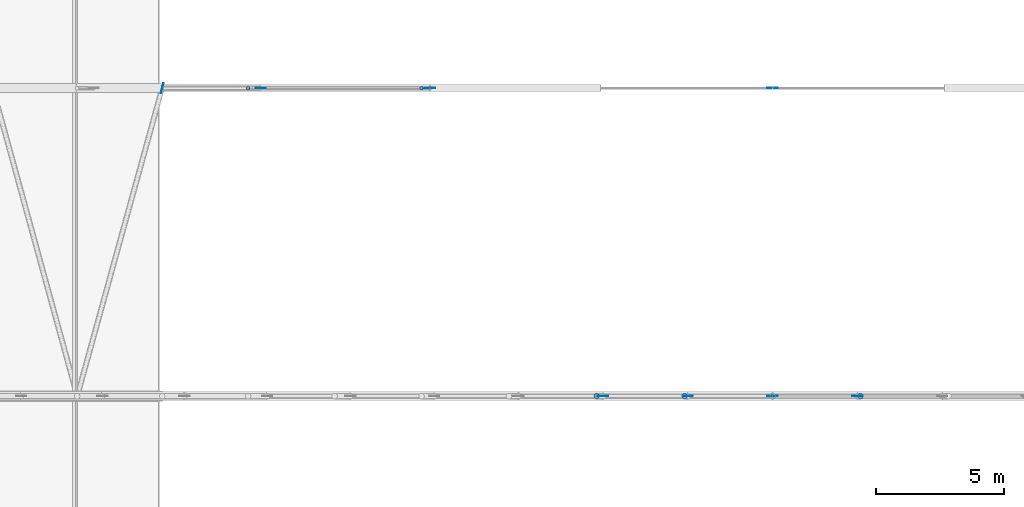
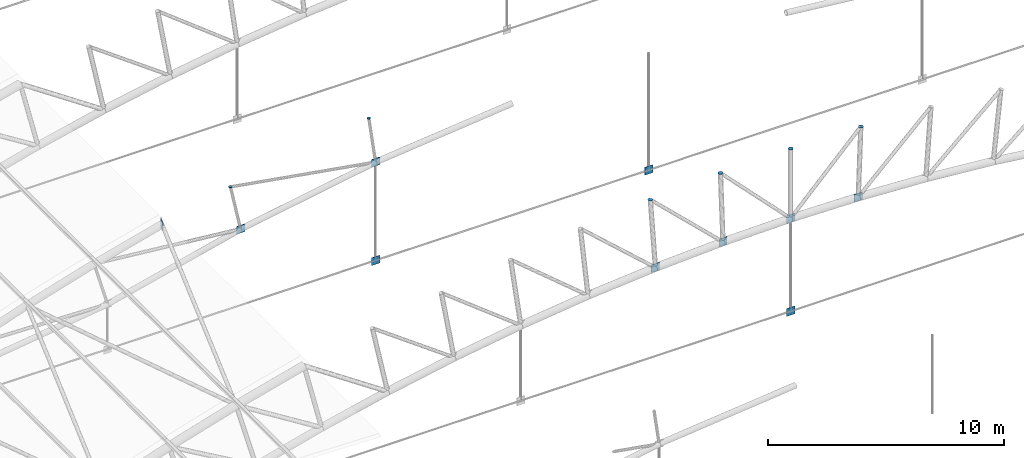
# One storey, part 295 of 321: 16 discrete accessories.
"""IFC4 building model written with IfcOpenShell, lengths in metres."""

from ifc_helpers import new_model, si_unit, direction, frame, origin, origin_2d, place, context, subcontext, project, spatial, rectangle, circle, extrude, material, material_profile, profile_set, type_object, element, save


model = new_model("IFC4")

# Units and contexts
model_context = context("Model", 3, precision=1e-05, world=origin(), true_north=direction((0.0, 1.0)))
body_context = subcontext(model_context, "Body", "Model", "MODEL_VIEW")
ifc_project = project(units=[si_unit("LENGTHUNIT", "METRE"), si_unit("AREAUNIT", "SQUARE_METRE"), si_unit("VOLUMEUNIT", "CUBIC_METRE"), si_unit("PLANEANGLEUNIT", "RADIAN"), si_unit("MASSUNIT", "GRAM", prefix="KILO")], contexts=[model_context])

# Site, building, storey
site_placement = place(None, origin())
site = spatial("IfcSite", under=ifc_project, at=site_placement, CompositionType="ELEMENT")
building_placement = place(site_placement, origin())
building = spatial("IfcBuilding", under=site, at=building_placement, Name="Ravi Spectrum Wholesale Market", CompositionType="ELEMENT")
storey_placement = place(building_placement, frame((0.0, 0.0, 10.800048828125)))
storey = spatial("IfcBuildingStorey", under=building, at=storey_placement, Name="L02", CompositionType="ELEMENT", Elevation=10.800048828125)

# Discrete accessories
ifc_material_1 = material(Name="Steel S355", Category="steel")
ifc_material_profile_1 = material_profile(ifc_material_1, circle(Radius=0.06982421875, at=origin_2d()))
ifc_profile_set_1 = profile_set([ifc_material_profile_1], Name="Steel S355")
discrete_accessory_type_1 = type_object("IfcDiscreteAccessoryType", Name="End plate CHS 139.7x5", PredefinedType="BRACKET", material=ifc_profile_set_1)
for number, where, z_axis, x_axis, name in (
    (1, (49.55859375, 162.0, 6.30224609375), (-0.203954254112, 0.0, 0.978980419738), (0.0, -1.0, 0.0), "End plate"),
    (2, (56.318115234375, 162.0, 7.479736328125), (-0.141421356237, 0.0, 0.989949493661), (0.0, -1.0, 0.0), "End plate"),
):
    element("IfcDiscreteAccessory", number, at=place(storey_placement, frame(where, z_axis=z_axis, x_axis=x_axis)), inside=storey, type_object=discrete_accessory_type_1, Name=name, PredefinedType="BRACKET", context=body_context, shape_type="SweptSolid", body=[
        extrude(circle(Radius=0.06982421875, at=origin_2d()), origin(), (0.0, 0.0, 1.0), 0.011962890625),
    ])
ifc_material_2 = material(Name="Steel S355", Category="steel")
ifc_material_profile_2 = material_profile(ifc_material_2, circle(Radius=0.109619140625, at=origin_2d()))
ifc_profile_set_2 = profile_set([ifc_material_profile_2], Name="Steel S355")
discrete_accessory_type_2 = type_object("IfcDiscreteAccessoryType", Name="End plate CHS 219.1x8", PredefinedType="BRACKET", material=ifc_profile_set_2)
for number, where, z_axis, x_axis, name in (
    (3, (63.14453125, 150.0, 8.163330078125), (-0.081362009455, 0.0, 0.996684615823), (0.0, -1.0, 0.0), "End plate"),
    (4, (66.5703125, 150.0, 8.3408203125), (-0.040782369514, 0.0, 0.999168053101), (0.0, -1.0, 0.0), "End plate"),
    (5, (70.0, 150.0, 8.39990234375), (0.0, 0.0, 1.0), (1.0, 0.0, 0.0), "End plate"),
    (6, (73.4296875, 150.0, 8.3408203125), (0.040782369514, 0.0, 0.999168053101), (0.0, 1.0, 0.0), "End plate"),
):
    element("IfcDiscreteAccessory", number, at=place(storey_placement, frame(where, z_axis=z_axis, x_axis=x_axis)), inside=storey, type_object=discrete_accessory_type_2, Name=name, PredefinedType="BRACKET", context=body_context, shape_type="SweptSolid", body=[
        extrude(circle(Radius=0.109619140625, at=origin_2d()), origin(), (0.0, 0.0, 1.0), 0.011962890625),
    ])
ifc_material_3 = material(Name="Steel S355", Category="steel")
ifc_material_profile_3 = material_profile(ifc_material_3, rectangle(XDim=0.39990234375, YDim=0.02001953125, at=origin_2d()))
ifc_profile_set_3 = profile_set([ifc_material_profile_3], Name="Steel S355")
discrete_accessory_type_3 = type_object("IfcDiscreteAccessoryType", Name="Gusset plate 400x400x20", PredefinedType="BRACKET", material=ifc_profile_set_3)
discrete_accessory_1_placement = place(storey_placement, frame((46.213134765625, 162.0, 5.339111328125), z_axis=(0.0, 0.0, 1.0), x_axis=(0.265907436453, 0.963998565994, 0.0)))
element("IfcDiscreteAccessory", 7, at=discrete_accessory_1_placement, inside=storey, type_object=discrete_accessory_type_3, Name="Gusset plate", PredefinedType="BRACKET", context=body_context, shape_type="SweptSolid", body=[
    extrude(rectangle(XDim=0.39990234375, YDim=0.02001953125, at=origin_2d()), origin(), (0.0, 0.0, 1.0), 0.400146484375),
])
for number, where, z_axis, x_axis, name in (
    (8, (50.0517578125, 162.0, 3.75341796875), (0.0, 0.0, 1.0), (1.0, 0.0, 0.0), "Gusset plate"),
    (9, (56.648193359375, 162.0, -0.1767578125), (0.0, 0.0, 1.0), (1.0, 0.0, 0.0), "Gusset plate"),
):
    element("IfcDiscreteAccessory", number, at=place(storey_placement, frame(where, z_axis=z_axis, x_axis=x_axis)), inside=storey, type_object=discrete_accessory_type_3, Name=name, PredefinedType="BRACKET", context=body_context, shape_type="SweptSolid", body=[
        extrude(rectangle(XDim=0.39990234375, YDim=0.02001953125, at=origin_2d()), origin(), (0.0, 0.0, 1.0), 0.39990234375),
    ])
for number, where, z_axis, x_axis, name in (
    (10, (56.648193359375, 162.0, 4.902587890625), (0.0, 0.0, 1.0), (1.0, 0.0, 0.0), "Gusset plate"),
    (11, (63.392578125, 150.0, 4.371826171875), (0.0, 0.0, 1.0), (1.0, 0.0, 0.0), "Gusset plate"),
):
    element("IfcDiscreteAccessory", number, at=place(storey_placement, frame(where, z_axis=z_axis, x_axis=x_axis)), inside=storey, type_object=discrete_accessory_type_3, Name=name, PredefinedType="BRACKET", context=body_context, shape_type="SweptSolid", body=[
        extrude(rectangle(XDim=0.39990234375, YDim=0.02001953125, at=origin_2d()), origin(), (0.0, 0.0, 1.0), 0.400146484375),
    ])
for number, where, z_axis, x_axis, name in (
    (12, (66.6943359375, 150.0, 4.54296875), (0.0, 0.0, 1.0), (1.0, 0.0, 0.0), "Gusset plate"),
    (13, (70.0, 150.0, -0.199951171875), (0.0, 0.0, 1.0), (1.0, 0.0, 0.0), "Gusset plate"),
):
    element("IfcDiscreteAccessory", number, at=place(storey_placement, frame(where, z_axis=z_axis, x_axis=x_axis)), inside=storey, type_object=discrete_accessory_type_3, Name=name, PredefinedType="BRACKET", context=body_context, shape_type="SweptSolid", body=[
        extrude(rectangle(XDim=0.39990234375, YDim=0.02001953125, at=origin_2d()), origin(), (0.0, 0.0, 1.0), 0.39990234375),
    ])
discrete_accessory_2_placement = place(storey_placement, frame((70.0, 150.0, 4.599853515625), z_axis=(0.0, 0.0, 1.0), x_axis=(1.0, 0.0, 0.0)))
element("IfcDiscreteAccessory", 14, at=discrete_accessory_2_placement, inside=storey, type_object=discrete_accessory_type_3, Name="Gusset plate", PredefinedType="BRACKET", context=body_context, shape_type="SweptSolid", body=[
    extrude(rectangle(XDim=0.39990234375, YDim=0.02001953125, at=origin_2d()), origin(), (0.0, 0.0, 1.0), 0.400146484375),
])
for number, where, z_axis, x_axis, name in (
    (15, (70.0, 162.0, -0.1767578125), (0.0, 0.0, 1.0), (1.0, 0.0, 0.0), "Gusset plate"),
    (16, (73.3056640625, 150.0, 4.54296875), (0.0, 0.0, 1.0), (-1.0, 0.0, 0.0), "Gusset plate"),
):
    element("IfcDiscreteAccessory", number, at=place(storey_placement, frame(where, z_axis=z_axis, x_axis=x_axis)), inside=storey, type_object=discrete_accessory_type_3, Name=name, PredefinedType="BRACKET", context=body_context, shape_type="SweptSolid", body=[
        extrude(rectangle(XDim=0.39990234375, YDim=0.02001953125, at=origin_2d()), origin(), (0.0, 0.0, 1.0), 0.39990234375),
    ])

save(model, "model.ifc")
